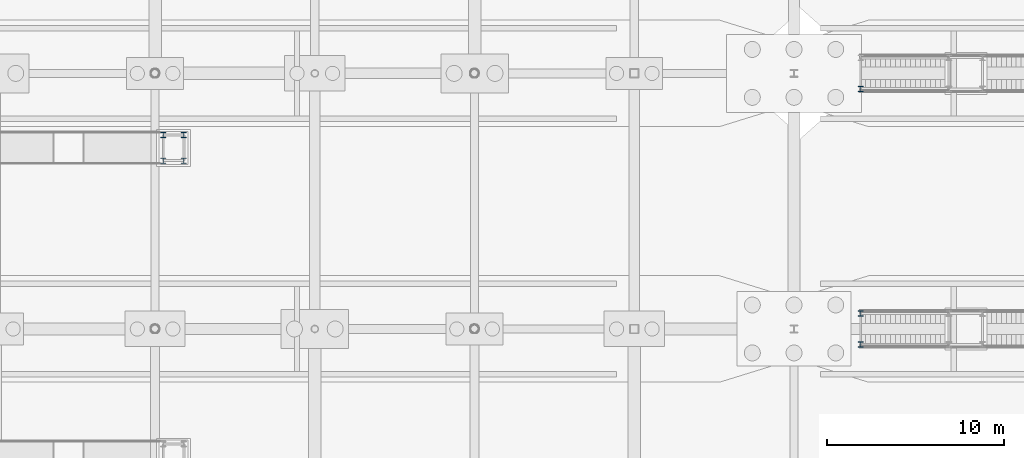
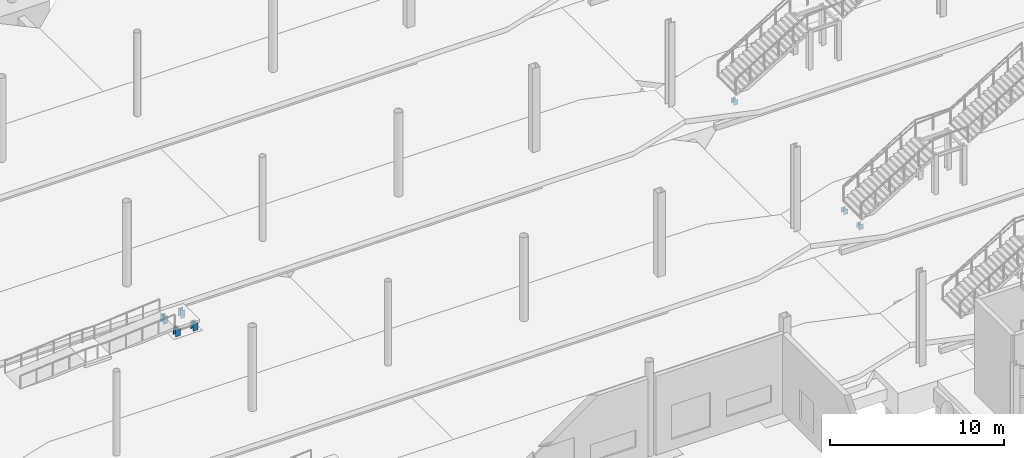
# One storey, part 33 of 115: 7 columns.
"""IFC4 building model written with IfcOpenShell, lengths in metres."""

from ifc_helpers import new_model, si_unit, direction, frame, origin, origin_2d, place, context, subcontext, project, spatial, i_section, extrude, material, material_profile, profile_set, type_object, element, save


model = new_model("IFC4")

# Units and contexts
model_context = context("Model", 3, precision=1e-05, world=origin(), true_north=direction((0.0, 1.0)))
body_context = subcontext(model_context, "Body", "Model", "MODEL_VIEW")
ifc_project = project(units=[si_unit("LENGTHUNIT", "METRE"), si_unit("AREAUNIT", "SQUARE_METRE"), si_unit("VOLUMEUNIT", "CUBIC_METRE"), si_unit("PLANEANGLEUNIT", "RADIAN"), si_unit("MASSUNIT", "GRAM", prefix="KILO")], contexts=[model_context])

# Site, building, storey
site_placement = place(None, origin())
site = spatial("IfcSite", under=ifc_project, at=site_placement, CompositionType="ELEMENT")
building_placement = place(site_placement, origin())
building = spatial("IfcBuilding", under=site, at=building_placement, Name="Tamarisk Ironworks Central Station", CompositionType="ELEMENT")
storey_placement = place(building_placement, origin())
storey = spatial("IfcBuildingStorey", under=building, at=storey_placement, Name="L00", CompositionType="ELEMENT", Elevation=0.0)

# Columns
ifc_material = material(Name="Structural steel S355J2", Category="steel")
ifc_material_profile = material_profile(ifc_material, i_section(OverallWidth=0.300048828125, OverallDepth=0.300048828125, WebThickness=0.010986328125, FlangeThickness=0.01904296875, at=origin_2d()), Name="HEB 300")
ifc_profile_set = profile_set([ifc_material_profile], Name="Structural steel S355J2")
column_type = type_object("IfcColumnType", Name="COL-S12", PredefinedType="COLUMN", material=ifc_profile_set)
for number, where, z_axis, x_axis, name in (
    (1, (57.760009765625, 35.1201171875, 0.0), (0.0, 0.0, 1.0), (1.0, 0.0, 0.0), "ST-P2A bottom stringer support post S"),
    (2, (57.760009765625, 36.8798828125, 0.0), (0.0, 0.0, 1.0), (1.0, 0.0, 0.0), "ST-P2A bottom stringer support post N"),
    (3, (57.760009765625, 49.52001953125, 0.0), (0.0, 0.0, 1.0), (1.0, 0.0, 0.0), "ST-P3A bottom stringer support post S"),
):
    element("IfcColumn", number, at=place(storey_placement, frame(where, z_axis=z_axis, x_axis=x_axis)), inside=storey, type_object=column_type, Name=name, PredefinedType="COLUMN", context=body_context, shape_type="SweptSolid", body=[
        extrude(i_section(OverallWidth=0.300048828125, OverallDepth=0.300048828125, WebThickness=0.010986328125, FlangeThickness=0.01904296875, at=origin_2d()), origin(), (0.0, 0.0, 1.0), 0.360107421875),
    ])
for number, where, z_axis, x_axis, name in (
    (4, (18.4599609375, 45.47998046875, 0.0), (0.0, 0.0, 1.0), (1.0, 0.0, 0.0), "RMP-P3W arrival landing post 1"),
    (5, (19.6201171875, 45.47998046875, 0.0), (0.0, 0.0, 1.0), (1.0, 0.0, 0.0), "RMP-P3W arrival landing post 2"),
    (6, (18.4599609375, 46.919921875, 0.0), (0.0, 0.0, 1.0), (1.0, 0.0, 0.0), "RMP-P3W arrival landing post 3"),
    (7, (19.6201171875, 46.919921875, 0.0), (0.0, 0.0, 1.0), (1.0, 0.0, 0.0), "RMP-P3W arrival landing post 4"),
):
    element("IfcColumn", number, at=place(storey_placement, frame(where, z_axis=z_axis, x_axis=x_axis)), inside=storey, type_object=column_type, Name=name, PredefinedType="COLUMN", context=body_context, shape_type="SweptSolid", body=[
        extrude(i_section(OverallWidth=0.300048828125, OverallDepth=0.300048828125, WebThickness=0.010986328125, FlangeThickness=0.01904296875, at=origin_2d()), origin(), (0.0, 0.0, 1.0), 0.56005859375),
    ])

save(model, "model.ifc")
